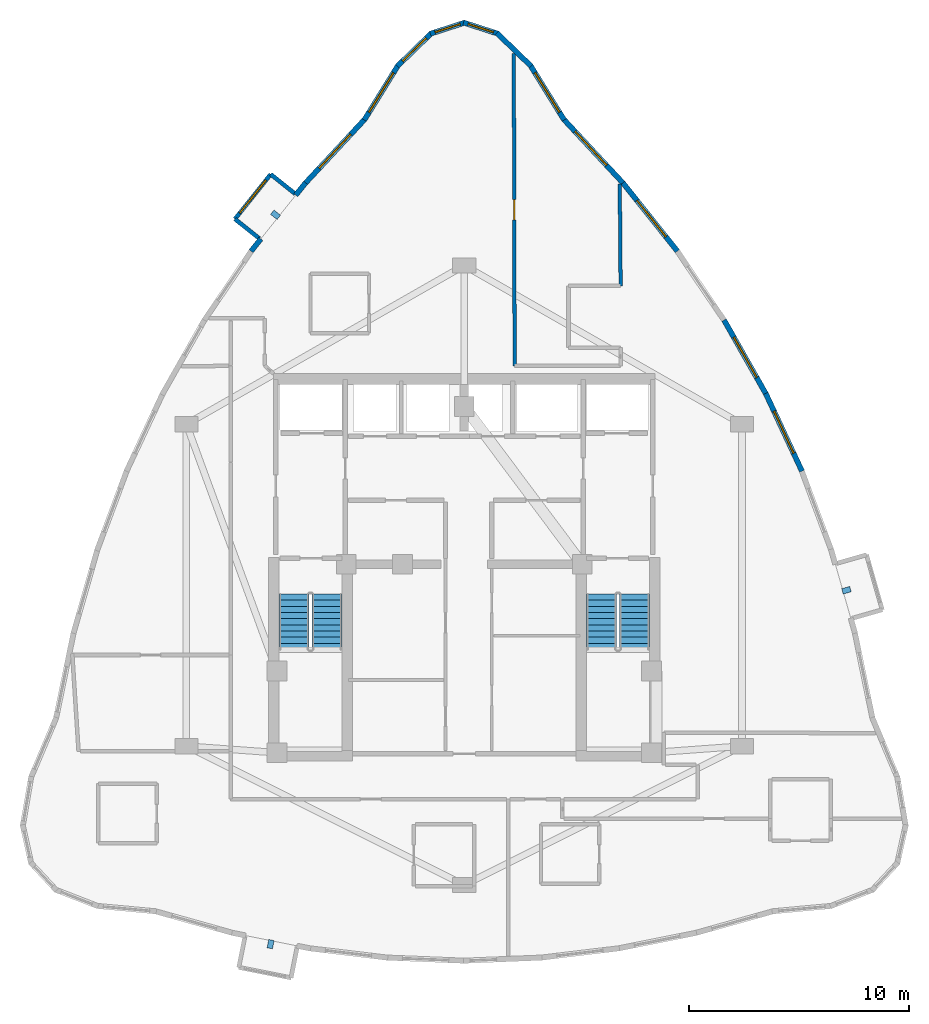
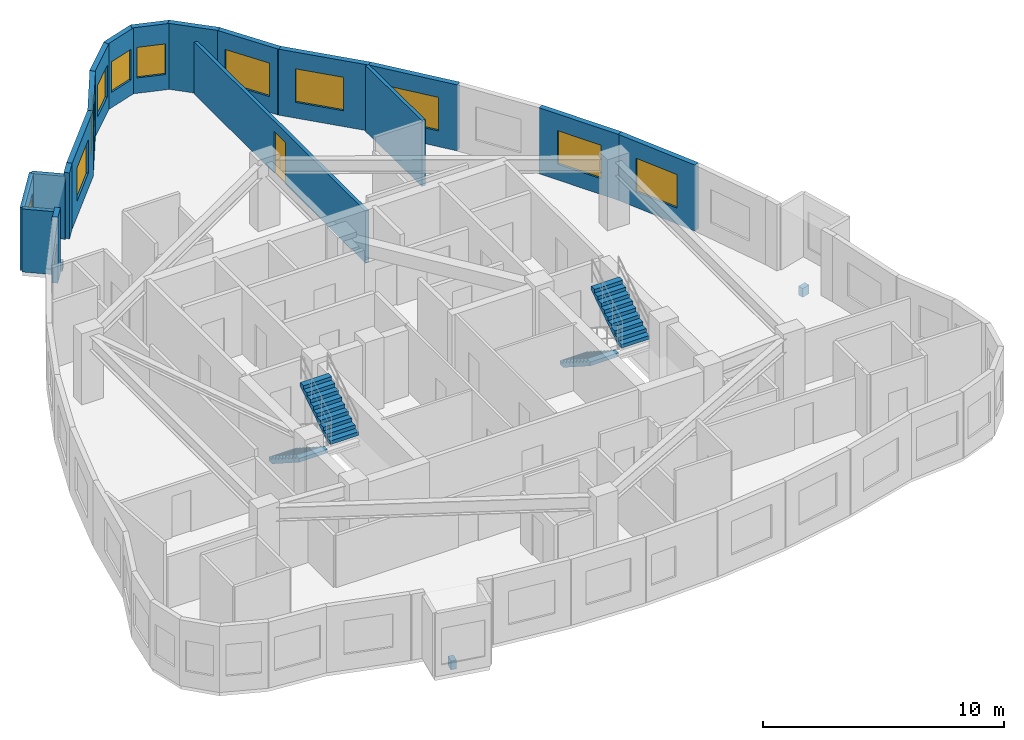
# One storey, part 11 of 12: 18 walls, 11 windows, 4 stair flights, 3 discrete accessories, 1 door, 12 openings, 2 elements without a shape of their own.
"""IFC4 building model written with IfcOpenShell, lengths in metres."""

from ifc_helpers import new_model, si_unit, direction, frame, frame_2d, origin, origin_2d, place, context, subcontext, project, spatial, polyline, rectangle, outline, extrude, material, layer, layer_set, type_object, element, fill, aggregate, save


model = new_model("IFC4")

# Units and contexts
model_context = context("Model", 3, precision=1e-05, world=origin(), true_north=direction((0.0, 1.0)))
body_context = subcontext(model_context, "Body", "Model", "MODEL_VIEW")
ifc_project = project(units=[si_unit("LENGTHUNIT", "METRE"), si_unit("AREAUNIT", "SQUARE_METRE"), si_unit("VOLUMEUNIT", "CUBIC_METRE"), si_unit("PLANEANGLEUNIT", "RADIAN"), si_unit("MASSUNIT", "GRAM", prefix="KILO")], contexts=[model_context])

# Site, building, storey
site_placement = place(None, origin())
site = spatial("IfcSite", under=ifc_project, at=site_placement, CompositionType="ELEMENT")
building_placement = place(site_placement, origin())
building = spatial("IfcBuilding", under=site, at=building_placement, Name="Miruveldt Soraemaru", CompositionType="ELEMENT")
storey_placement = place(building_placement, frame((0.0, 0.0, 219.60009765625)))
storey = spatial("IfcBuildingStorey", under=building, at=storey_placement, Name="L60", CompositionType="ELEMENT", Elevation=219.60009765625)

# Walls
ifc_material_1 = material(Name="White powder-coated aluminium EN AW-6060 T6", Category="aluminium")
ifc_layer_1 = layer(ifc_material_1, 0.18994140625, Name="White powder-coated aluminium EN AW-6060 T6", Category="aluminium")
ifc_layer_set_1 = layer_set([ifc_layer_1], Name="White powder-coated aluminium EN AW-6060 T6")
wall_type_1 = type_object("IfcWallType", Name="WALL-BAY-ALU190", PredefinedType="SOLIDWALL", material=ifc_layer_set_1)
for number, where, z_axis, x_axis, name in (
    (1, (36.3349609375, 60.8515625, 0.0), (0.0, 0.0, 1.0), (-0.781737193764, 0.623608017817, 0.0), "L60 Bay Window Side Cheek 3L"),
    (2, (33.599365234375, 59.707763671875, 0.0), (0.0, 0.0, 1.0), (0.781737193764, -0.623608017817, 0.0), "L60 Bay Window Side Cheek 3R"),
):
    element("IfcWall", number, at=place(storey_placement, frame(where, z_axis=z_axis, x_axis=x_axis)), inside=storey, type_object=wall_type_1, Name=name, PredefinedType="SOLIDWALL", context=body_context, shape_type="SweptSolid", body=[
        extrude(rectangle(XDim=1.425048828125, YDim=0.18994140625, at=frame_2d((0.71240234375, 0.0))), origin(), (0.0, 0.0, 1.0), 3.19482421875),
    ])

# Wall, opening, window
wall_1_placement = place(storey_placement, frame((35.220947265625, 61.740234375, 0.0), z_axis=(0.0, 0.0, 1.0), x_axis=(-0.623663926583, -0.781692590907, 0.0)))
wall_1 = element("IfcWall", 3, at=wall_1_placement, inside=storey, type_object=wall_type_1, Name="L60 Bay Window Front Frame 3", PredefinedType="SOLIDWALL", context=body_context, shape_type="SweptSolid", body=[
    extrude(rectangle(XDim=2.60009765625, YDim=0.18994140625, at=frame_2d((1.300048828125, 0.0))), origin(), (0.0, 0.0, 1.0), 3.19482421875),
])
opening_1_placement = place(wall_1_placement, frame((0.35009765625, 0.0, 0.550048828125)))
opening_1 = element("IfcOpeningElement", 4, at=opening_1_placement, cuts=wall_1, Name="Opening WN-6", PredefinedType="OPENING", context=body_context, shape_type="SweptSolid", body=[
    extrude(rectangle(XDim=1.89990234375, YDim=1.85009765625, at=frame_2d((0.949951171875, 0.925048828125))), frame((0.0, 0.10498046875, 0.0), z_axis=(0.0, -1.0, 0.0), x_axis=(1.0, 0.0, 0.0)), (0.0, 0.0, 1.0), 0.2099609375),
])
ifc_material_2 = material(Name="Triple low-e insulated glazing", Category="glass")
window_type_1 = type_object("IfcWindowType", Name="WIN-BAYW-1900x1850", PartitioningType="SINGLE_PANEL", PredefinedType="WINDOW", material=ifc_material_2)
window_1_placement = place(opening_1_placement, origin())
window_1 = element("IfcWindow", 5, at=window_1_placement, inside=storey, type_object=window_type_1, Name="L60 Projecting Bay Window 3", OverallHeight=1.85009765625, OverallWidth=1.89990234375, PartitioningType="SINGLE_PANEL", PredefinedType="WINDOW", context=body_context, shape_type="SweptSolid", body=[
    extrude(rectangle(XDim=1.89990234375, YDim=1.85009765625, at=frame_2d((0.949951171875, 0.925048828125))), frame((0.0, 0.030029296875, 0.0), z_axis=(0.0, -1.0, 0.0), x_axis=(1.0, 0.0, 0.0)), (0.0, 0.0, 1.0), 0.06005859375),
])
fill(opening_1, window_1)

ifc_material_3 = material(Name="Precast concrete C45/55 (45 MPa)", Category="concrete")
ifc_layer_2 = layer(ifc_material_3, 0.239990234375, Name="Precast concrete C45/55 (45 MPa)", Category="concrete")
ifc_layer_set_2 = layer_set([ifc_layer_2], Name="Precast concrete C45/55 (45 MPa)")
wall_type_2 = type_object("IfcWallType", Name="WALL-EXT-PC240", PredefinedType="SOLIDWALL", material=ifc_layer_set_2)
wall_2_placement = place(storey_placement, frame((48.535888671875, 64.198974609375, 0.0), z_axis=(0.0, 0.0, 1.0), x_axis=(-0.526116690269, 0.850412387151, 0.0)))
wall_2 = element("IfcWall", 6, at=wall_2_placement, inside=storey, type_object=wall_type_2, Name="L60 Precast Concrete Facade Wall 1", PredefinedType="SOLIDWALL", context=body_context, shape_type="SweptSolid", body=[
    extrude(rectangle(XDim=2.932373046875, YDim=0.239990234375, at=frame_2d((1.46630859375, 0.0))), origin(), (0.0, 0.0, 1.0), 3.344970703125),
])
opening_2_placement = place(wall_2_placement, frame((0.416015625, 0.0, 0.800048828125)))
opening_2 = element("IfcOpeningElement", 7, at=opening_2_placement, cuts=wall_2, Name="Opening WN-1", PredefinedType="OPENING", context=body_context, shape_type="SweptSolid", body=[
    extrude(rectangle(XDim=2.10009765625, YDim=1.699951171875, at=frame_2d((1.050048828125, 0.85009765625))), frame((0.0, 0.1298828125, 0.0), z_axis=(0.0, -1.0, 0.0), x_axis=(1.0, 0.0, 0.0)), (0.0, 0.0, 1.0), 0.260009765625),
])
window_type_2 = type_object("IfcWindowType", Name="WIN-PUNCH-2100x1700", PartitioningType="SINGLE_PANEL", PredefinedType="WINDOW", material=ifc_material_2)
window_2_placement = place(opening_2_placement, origin())
window_2 = element("IfcWindow", 8, at=window_2_placement, inside=storey, type_object=window_type_2, Name="L60 Punched Triple-Glazed Window 01.1", OverallHeight=1.699951171875, OverallWidth=2.10009765625, PartitioningType="SINGLE_PANEL", PredefinedType="WINDOW", context=body_context, shape_type="SweptSolid", body=[
    extrude(rectangle(XDim=2.10009765625, YDim=1.699951171875, at=frame_2d((1.050048828125, 0.85009765625))), frame((0.0, 0.030029296875, 0.0), z_axis=(0.0, -1.0, 0.0), x_axis=(1.0, 0.0, 0.0)), (0.0, 0.0, 1.0), 0.06005859375),
])
fill(opening_2, window_2)

# Wall
wall_3_placement = place(storey_placement, frame((47.03662109375, 66.638427734375, 0.0), z_axis=(0.0, 0.0, 1.0), x_axis=(-0.717724698944, 0.696326975297, 0.0)))
element("IfcWall", 9, at=wall_3_placement, inside=storey, type_object=wall_type_2, Name="L60 Precast Concrete Facade Wall 2", PredefinedType="SOLIDWALL", context=body_context, shape_type="SweptSolid", body=[
    extrude(rectangle(XDim=2.167724609375, YDim=0.239990234375, at=frame_2d((1.083984375, 0.0))), origin(), (0.0, 0.0, 1.0), 3.344970703125),
])

# Wall, opening, window
wall_4_placement = place(storey_placement, frame((45.5390625, 68.11279296875, 0.0), z_axis=(0.0, 0.0, 1.0), x_axis=(-0.951510677504, 0.307615719032, 0.0)))
wall_4 = element("IfcWall", 10, at=wall_4_placement, inside=storey, type_object=wall_type_2, Name="L60 Precast Concrete Facade Wall 3", PredefinedType="SOLIDWALL", context=body_context, shape_type="SweptSolid", body=[
    extrude(rectangle(XDim=1.65234375, YDim=0.239990234375, at=frame_2d((0.826171875, 0.0))), origin(), (0.0, 0.0, 1.0), 3.344970703125),
])
opening_3_placement = place(wall_4_placement, frame((0.22705078125, 0.0, 0.780029296875)))
opening_3 = element("IfcOpeningElement", 11, at=opening_3_placement, cuts=wall_4, Name="Opening WN-4", PredefinedType="OPENING", context=body_context, shape_type="SweptSolid", body=[
    extrude(rectangle(XDim=1.199951171875, YDim=1.550048828125, at=frame_2d((0.60009765625, 0.77490234375))), frame((0.0, 0.1298828125, 0.0), z_axis=(0.0, -1.0, 0.0), x_axis=(1.0, 0.0, 0.0)), (0.0, 0.0, 1.0), 0.260009765625),
])
window_type_3 = type_object("IfcWindowType", Name="WIN-PUNCH-1200x1550", PartitioningType="SINGLE_PANEL", PredefinedType="WINDOW", material=ifc_material_2)
window_3_placement = place(opening_3_placement, origin())
window_3 = element("IfcWindow", 12, at=window_3_placement, inside=storey, type_object=window_type_3, Name="L60 Punched Triple-Glazed Window 03.1", OverallHeight=1.550048828125, OverallWidth=1.199951171875, PartitioningType="SINGLE_PANEL", PredefinedType="WINDOW", context=body_context, shape_type="SweptSolid", body=[
    extrude(rectangle(XDim=1.199951171875, YDim=1.550048828125, at=frame_2d((0.60009765625, 0.77490234375))), frame((0.0, 0.030029296875, 0.0), z_axis=(0.0, -1.0, 0.0), x_axis=(1.0, 0.0, 0.0)), (0.0, 0.0, 1.0), 0.06005859375),
])
fill(opening_3, window_3)

wall_5_placement = place(storey_placement, frame((44.033203125, 68.62109375, 0.0), z_axis=(0.0, 0.0, 1.0), x_axis=(-0.951510677504, -0.307615719032, 0.0)))
wall_5 = element("IfcWall", 13, at=wall_5_placement, inside=storey, type_object=wall_type_2, Name="L60 Precast Concrete Facade Wall 4", PredefinedType="SOLIDWALL", context=body_context, shape_type="SweptSolid", body=[
    extrude(rectangle(XDim=1.65234375, YDim=0.239990234375, at=frame_2d((0.826171875, 0.0))), origin(), (0.0, 0.0, 1.0), 3.344970703125),
])
opening_4_placement = place(wall_5_placement, frame((0.22705078125, 0.0, 0.780029296875)))
opening_4 = element("IfcOpeningElement", 14, at=opening_4_placement, cuts=wall_5, Name="Opening WN-4", PredefinedType="OPENING", context=body_context, shape_type="SweptSolid", body=[
    extrude(rectangle(XDim=1.199951171875, YDim=1.550048828125, at=frame_2d((0.60009765625, 0.77490234375))), frame((0.0, 0.1298828125, 0.0), z_axis=(0.0, -1.0, 0.0), x_axis=(1.0, 0.0, 0.0)), (0.0, 0.0, 1.0), 0.260009765625),
])
window_4_placement = place(opening_4_placement, origin())
window_4 = element("IfcWindow", 15, at=window_4_placement, inside=storey, type_object=window_type_3, Name="L60 Punched Triple-Glazed Window 04.1", OverallHeight=1.550048828125, OverallWidth=1.199951171875, PartitioningType="SINGLE_PANEL", PredefinedType="WINDOW", context=body_context, shape_type="SweptSolid", body=[
    extrude(rectangle(XDim=1.199951171875, YDim=1.550048828125, at=frame_2d((0.60009765625, 0.77490234375))), frame((0.0, 0.030029296875, 0.0), z_axis=(0.0, -1.0, 0.0), x_axis=(1.0, 0.0, 0.0)), (0.0, 0.0, 1.0), 0.06005859375),
])
fill(opening_4, window_4)

wall_6_placement = place(storey_placement, frame((42.519287109375, 68.14794921875, 0.0), z_axis=(0.0, 0.0, 1.0), x_axis=(-0.717724698944, -0.696326975297, 0.0)))
wall_6 = element("IfcWall", 16, at=wall_6_placement, inside=storey, type_object=wall_type_2, Name="L60 Precast Concrete Facade Wall 5", PredefinedType="SOLIDWALL", context=body_context, shape_type="SweptSolid", body=[
    extrude(rectangle(XDim=2.167724609375, YDim=0.239990234375, at=frame_2d((1.083984375, 0.0))), origin(), (0.0, 0.0, 1.0), 3.344970703125),
])
opening_5_placement = place(wall_6_placement, frame((0.333984375, 0.0, 0.800048828125)))
opening_5 = element("IfcOpeningElement", 17, at=opening_5_placement, cuts=wall_6, Name="Opening WN-3", PredefinedType="OPENING", context=body_context, shape_type="SweptSolid", body=[
    extrude(rectangle(XDim=1.5, YDim=1.60009765625, at=frame_2d((0.75, 0.800048828125))), frame((0.0, 0.1298828125, 0.0), z_axis=(0.0, -1.0, 0.0), x_axis=(1.0, 0.0, 0.0)), (0.0, 0.0, 1.0), 0.260009765625),
])
window_type_4 = type_object("IfcWindowType", Name="WIN-PUNCH-1500x1600", PartitioningType="SINGLE_PANEL", PredefinedType="WINDOW", material=ifc_material_2)
window_5_placement = place(opening_5_placement, origin())
window_5 = element("IfcWindow", 18, at=window_5_placement, inside=storey, type_object=window_type_4, Name="L60 Punched Triple-Glazed Window 05.1", OverallHeight=1.60009765625, OverallWidth=1.5, PartitioningType="SINGLE_PANEL", PredefinedType="WINDOW", context=body_context, shape_type="SweptSolid", body=[
    extrude(rectangle(XDim=1.5, YDim=1.60009765625, at=frame_2d((0.75, 0.800048828125))), frame((0.0, 0.030029296875, 0.0), z_axis=(0.0, -1.0, 0.0), x_axis=(1.0, 0.0, 0.0)), (0.0, 0.0, 1.0), 0.06005859375),
])
fill(opening_5, window_5)

wall_7_placement = place(storey_placement, frame((41.0068359375, 66.692626953125, 0.0), z_axis=(0.0, 0.0, 1.0), x_axis=(-0.526116690269, -0.850412387151, 0.0)))
wall_7 = element("IfcWall", 19, at=wall_7_placement, inside=storey, type_object=wall_type_2, Name="L60 Precast Concrete Facade Wall 6", PredefinedType="SOLIDWALL", context=body_context, shape_type="SweptSolid", body=[
    extrude(rectangle(XDim=2.932373046875, YDim=0.239990234375, at=frame_2d((1.46630859375, 0.0))), origin(), (0.0, 0.0, 1.0), 3.344970703125),
])
opening_6_placement = place(wall_7_placement, frame((0.416015625, 0.0, 0.800048828125)))
opening_6 = element("IfcOpeningElement", 20, at=opening_6_placement, cuts=wall_7, Name="Opening WN-1", PredefinedType="OPENING", context=body_context, shape_type="SweptSolid", body=[
    extrude(rectangle(XDim=2.10009765625, YDim=1.699951171875, at=frame_2d((1.050048828125, 0.85009765625))), frame((0.0, 0.1298828125, 0.0), z_axis=(0.0, -1.0, 0.0), x_axis=(1.0, 0.0, 0.0)), (0.0, 0.0, 1.0), 0.260009765625),
])
window_6_placement = place(opening_6_placement, origin())
window_6 = element("IfcWindow", 21, at=window_6_placement, inside=storey, type_object=window_type_2, Name="L60 Punched Triple-Glazed Window 06.1", OverallHeight=1.699951171875, OverallWidth=2.10009765625, PartitioningType="SINGLE_PANEL", PredefinedType="WINDOW", context=body_context, shape_type="SweptSolid", body=[
    extrude(rectangle(XDim=2.10009765625, YDim=1.699951171875, at=frame_2d((1.050048828125, 0.85009765625))), frame((0.0, 0.030029296875, 0.0), z_axis=(0.0, -1.0, 0.0), x_axis=(1.0, 0.0, 0.0)), (0.0, 0.0, 1.0), 0.06005859375),
])
fill(opening_6, window_6)

wall_8_placement = place(storey_placement, frame((39.50634765625, 64.25439453125, 0.0), z_axis=(0.0, 0.0, 1.0), x_axis=(-0.680870897297, -0.732403455217, 0.0)))
wall_8 = element("IfcWall", 22, at=wall_8_placement, inside=storey, type_object=wall_type_2, Name="L60 Precast Concrete Facade Wall 7", PredefinedType="SOLIDWALL", context=body_context, shape_type="SweptSolid", body=[
    extrude(rectangle(XDim=4.036376953125, YDim=0.239990234375, at=frame_2d((2.01806640625, 0.0))), origin(), (0.0, 0.0, 1.0), 3.344970703125),
])
opening_7_placement = place(wall_8_placement, frame((0.968017578125, 0.0, 0.800048828125)))
opening_7 = element("IfcOpeningElement", 23, at=opening_7_placement, cuts=wall_8, Name="Opening WN-1", PredefinedType="OPENING", context=body_context, shape_type="SweptSolid", body=[
    extrude(rectangle(XDim=2.10009765625, YDim=1.699951171875, at=frame_2d((1.050048828125, 0.85009765625))), frame((0.0, 0.1298828125, 0.0), z_axis=(0.0, -1.0, 0.0), x_axis=(1.0, 0.0, 0.0)), (0.0, 0.0, 1.0), 0.260009765625),
])
window_7_placement = place(opening_7_placement, origin())
window_7 = element("IfcWindow", 24, at=window_7_placement, inside=storey, type_object=window_type_2, Name="L60 Punched Triple-Glazed Window 07.1", OverallHeight=1.699951171875, OverallWidth=2.10009765625, PartitioningType="SINGLE_PANEL", PredefinedType="WINDOW", context=body_context, shape_type="SweptSolid", body=[
    extrude(rectangle(XDim=2.10009765625, YDim=1.699951171875, at=frame_2d((1.050048828125, 0.85009765625))), frame((0.0, 0.030029296875, 0.0), z_axis=(0.0, -1.0, 0.0), x_axis=(1.0, 0.0, 0.0)), (0.0, 0.0, 1.0), 0.06005859375),
])
fill(opening_7, window_7)

# Walls
for number, where, z_axis, x_axis, name in (
    (25, (36.8037109375, 61.35107421875, 0.0), (0.0, 0.0, 1.0), (-0.623566879575, -0.781770008824, 0.0), "L60 Precast Pier Wall 8A"),
    (26, (34.775146484375, 58.808349609375, 0.0), (0.0, 0.0, 1.0), (-0.623357530904, -0.781936946733, 0.0), "L60 Precast Pier Wall 8B"),
):
    element("IfcWall", number, at=place(storey_placement, frame(where, z_axis=z_axis, x_axis=x_axis)), inside=storey, type_object=wall_type_2, Name=name, PredefinedType="SOLIDWALL", context=body_context, shape_type="SweptSolid", body=[
        extrude(rectangle(XDim=0.712890625, YDim=0.239990234375, at=frame_2d((0.3564453125, 0.0))), origin(), (0.0, 0.0, 1.0), 3.344970703125),
    ])

# Wall, opening, window
wall_9_placement = place(storey_placement, frame((59.3203125, 48.271240234375, 0.0), z_axis=(0.0, 0.0, 1.0), x_axis=(-0.422332612053, 0.906440932878, 0.0)))
wall_9 = element("IfcWall", 27, at=wall_9_placement, inside=storey, type_object=wall_type_2, Name="L60 Precast Concrete Facade Wall 38", PredefinedType="SOLIDWALL", context=body_context, shape_type="SweptSolid", body=[
    extrude(rectangle(XDim=3.892822265625, YDim=0.239990234375, at=frame_2d((1.9462890625, 0.0))), origin(), (0.0, 0.0, 1.0), 3.344970703125),
])
opening_8_placement = place(wall_9_placement, frame((0.89697265625, 0.0, 0.800048828125)))
opening_8 = element("IfcOpeningElement", 28, at=opening_8_placement, cuts=wall_9, Name="Opening WN-1", PredefinedType="OPENING", context=body_context, shape_type="SweptSolid", body=[
    extrude(rectangle(XDim=2.10009765625, YDim=1.699951171875, at=frame_2d((1.050048828125, 0.85009765625))), frame((0.0, 0.1298828125, 0.0), z_axis=(0.0, -1.0, 0.0), x_axis=(1.0, 0.0, 0.0)), (0.0, 0.0, 1.0), 0.260009765625),
])
window_8_placement = place(opening_8_placement, origin())
window_8 = element("IfcWindow", 29, at=window_8_placement, inside=storey, type_object=window_type_2, Name="L60 Punched Triple-Glazed Window 38.1", OverallHeight=1.699951171875, OverallWidth=2.10009765625, PartitioningType="SINGLE_PANEL", PredefinedType="WINDOW", context=body_context, shape_type="SweptSolid", body=[
    extrude(rectangle(XDim=2.10009765625, YDim=1.699951171875, at=frame_2d((1.050048828125, 0.85009765625))), frame((0.0, 0.030029296875, 0.0), z_axis=(0.0, -1.0, 0.0), x_axis=(1.0, 0.0, 0.0)), (0.0, 0.0, 1.0), 0.06005859375),
])
fill(opening_8, window_8)

wall_10_placement = place(storey_placement, frame((57.708251953125, 51.73779296875, 0.0), z_axis=(0.0, 0.0, 1.0), x_axis=(-0.493340105608, 0.869836501993, 0.0)))
wall_10 = element("IfcWall", 30, at=wall_10_placement, inside=storey, type_object=wall_type_2, Name="L60 Precast Concrete Facade Wall 39", PredefinedType="SOLIDWALL", context=body_context, shape_type="SweptSolid", body=[
    extrude(rectangle(XDim=3.892578125, YDim=0.239990234375, at=frame_2d((1.9462890625, 0.0))), origin(), (0.0, 0.0, 1.0), 3.344970703125),
])
opening_9_placement = place(wall_10_placement, frame((0.89697265625, 0.0, 0.800048828125)))
opening_9 = element("IfcOpeningElement", 31, at=opening_9_placement, cuts=wall_10, Name="Opening WN-1", PredefinedType="OPENING", context=body_context, shape_type="SweptSolid", body=[
    extrude(rectangle(XDim=2.10009765625, YDim=1.699951171875, at=frame_2d((1.050048828125, 0.85009765625))), frame((0.0, 0.1298828125, 0.0), z_axis=(0.0, -1.0, 0.0), x_axis=(1.0, 0.0, 0.0)), (0.0, 0.0, 1.0), 0.260009765625),
])
window_9_placement = place(opening_9_placement, origin())
window_9 = element("IfcWindow", 32, at=window_9_placement, inside=storey, type_object=window_type_2, Name="L60 Punched Triple-Glazed Window 39.1", OverallHeight=1.699951171875, OverallWidth=2.10009765625, PartitioningType="SINGLE_PANEL", PredefinedType="WINDOW", context=body_context, shape_type="SweptSolid", body=[
    extrude(rectangle(XDim=2.10009765625, YDim=1.699951171875, at=frame_2d((1.050048828125, 0.85009765625))), frame((0.0, 0.030029296875, 0.0), z_axis=(0.0, -1.0, 0.0), x_axis=(1.0, 0.0, 0.0)), (0.0, 0.0, 1.0), 0.06005859375),
])
fill(opening_9, window_9)

wall_11_placement = place(storey_placement, frame((53.669189453125, 58.2509765625, 0.0), z_axis=(0.0, 0.0, 1.0), x_axis=(-0.623590760343, 0.781750960098, 0.0)))
wall_11 = element("IfcWall", 33, at=wall_11_placement, inside=storey, type_object=wall_type_2, Name="L60 Precast Concrete Facade Wall 41", PredefinedType="SOLIDWALL", context=body_context, shape_type="SweptSolid", body=[
    extrude(rectangle(XDim=3.965576171875, YDim=0.239990234375, at=frame_2d((1.98291015625, 0.0))), origin(), (0.0, 0.0, 1.0), 3.344970703125),
])
opening_10_placement = place(wall_11_placement, frame((0.837890625, 0.0, 0.800048828125)))
opening_10 = element("IfcOpeningElement", 34, at=opening_10_placement, cuts=wall_11, Name="Opening WN-1", PredefinedType="OPENING", context=body_context, shape_type="SweptSolid", body=[
    extrude(rectangle(XDim=2.10009765625, YDim=1.699951171875, at=frame_2d((1.050048828125, 0.85009765625))), frame((0.0, 0.1298828125, 0.0), z_axis=(0.0, -1.0, 0.0), x_axis=(1.0, 0.0, 0.0)), (0.0, 0.0, 1.0), 0.260009765625),
])
window_10_placement = place(opening_10_placement, origin())
window_10 = element("IfcWindow", 35, at=window_10_placement, inside=storey, type_object=window_type_2, Name="L60 Punched Triple-Glazed Window 41.1", OverallHeight=1.699951171875, OverallWidth=2.10009765625, PartitioningType="SINGLE_PANEL", PredefinedType="WINDOW", context=body_context, shape_type="SweptSolid", body=[
    extrude(rectangle(XDim=2.10009765625, YDim=1.699951171875, at=frame_2d((1.050048828125, 0.85009765625))), frame((0.0, 0.030029296875, 0.0), z_axis=(0.0, -1.0, 0.0), x_axis=(1.0, 0.0, 0.0)), (0.0, 0.0, 1.0), 0.06005859375),
])
fill(opening_10, window_10)

wall_12_placement = place(storey_placement, frame((51.241943359375, 61.298095703125, 0.0), z_axis=(0.0, 0.0, 1.0), x_axis=(-0.680870897297, 0.732403455217, 0.0)))
wall_12 = element("IfcWall", 36, at=wall_12_placement, inside=storey, type_object=wall_type_2, Name="L60 Precast Concrete Facade Wall 42", PredefinedType="SOLIDWALL", context=body_context, shape_type="SweptSolid", body=[
    extrude(rectangle(XDim=4.036376953125, YDim=0.239990234375, at=frame_2d((2.01806640625, 0.0))), origin(), (0.0, 0.0, 1.0), 3.344970703125),
])
opening_11_placement = place(wall_12_placement, frame((1.154052734375, 0.0, 0.800048828125)))
opening_11 = element("IfcOpeningElement", 37, at=opening_11_placement, cuts=wall_12, Name="Opening WN-1", PredefinedType="OPENING", context=body_context, shape_type="SweptSolid", body=[
    extrude(rectangle(XDim=2.10009765625, YDim=1.699951171875, at=frame_2d((1.050048828125, 0.85009765625))), frame((0.0, 0.1298828125, 0.0), z_axis=(0.0, -1.0, 0.0), x_axis=(1.0, 0.0, 0.0)), (0.0, 0.0, 1.0), 0.260009765625),
])
window_11_placement = place(opening_11_placement, origin())
window_11 = element("IfcWindow", 38, at=window_11_placement, inside=storey, type_object=window_type_2, Name="L60 Punched Triple-Glazed Window 42.1", OverallHeight=1.699951171875, OverallWidth=2.10009765625, PartitioningType="SINGLE_PANEL", PredefinedType="WINDOW", context=body_context, shape_type="SweptSolid", body=[
    extrude(rectangle(XDim=2.10009765625, YDim=1.699951171875, at=frame_2d((1.050048828125, 0.85009765625))), frame((0.0, 0.030029296875, 0.0), z_axis=(0.0, -1.0, 0.0), x_axis=(1.0, 0.0, 0.0)), (0.0, 0.0, 1.0), 0.06005859375),
])
fill(opening_11, window_11)

# Wall, opening, door
ifc_material_4 = material(Name="Concrete C40/50 (40 MPa)", Category="concrete")
ifc_layer_3 = layer(ifc_material_4, 0.159912109375, Name="Concrete C40/50 (40 MPa)", Category="concrete")
ifc_layer_set_3 = layer_set([ifc_layer_3], Name="Concrete C40/50 (40 MPa)")
wall_type_3 = type_object("IfcWallType", Name="WALL-INT-RC160", PredefinedType="SOLIDWALL", material=ifc_layer_set_3)
wall_13_placement = place(storey_placement, frame((46.287109375, 53.050048828125, 0.0), z_axis=(0.0, 0.0, 1.0), x_axis=(-0.002688718306, 0.99999638539, 0.0)))
wall_13 = element("IfcWall", 39, at=wall_13_placement, inside=storey, type_object=wall_type_3, Name="L60 Partition Wall 17", PredefinedType="SOLIDWALL", context=body_context, shape_type="SweptSolid", body=[
    extrude(rectangle(XDim=14.1650390625, YDim=0.159912109375, at=frame_2d((7.08251953125, 0.0))), origin(), (0.0, 0.0, 1.0), 2.6328125),
])
opening_12_placement = place(wall_13_placement, frame((6.623046875, 0.0, 0.0)))
opening_12 = element("IfcOpeningElement", 40, at=opening_12_placement, cuts=wall_13, Name="Opening D3A", PredefinedType="OPENING", context=body_context, shape_type="SweptSolid", body=[
    extrude(rectangle(XDim=0.919921875, YDim=2.10009765625, at=frame_2d((0.4599609375, 1.050048828125))), frame((0.0, 0.08984375, 0.0), z_axis=(0.0, -1.0, 0.0), x_axis=(1.0, 0.0, 0.0)), (0.0, 0.0, 1.0), 0.179931640625),
])
ifc_material_5 = material(Name="Anodised aluminium EN AW-6063 T6", Category="aluminium")
door_type = type_object("IfcDoorType", Name="DOOR-INT-920", OperationType="NOTDEFINED", PredefinedType="DOOR", material=ifc_material_5)
door_placement = place(opening_12_placement, origin())
door = element("IfcDoor", 41, at=door_placement, inside=storey, type_object=door_type, Name="L60 Unit 6001 BD1 Door", OperationType="SINGLE_SWING_RIGHT", OverallHeight=2.10009765625, OverallWidth=0.919921875, PredefinedType="DOOR", context=body_context, shape_type="SweptSolid", body=[
    extrude(rectangle(XDim=0.919921875, YDim=2.10009765625, at=frame_2d((0.4599609375, 1.050048828125))), frame((0.0, 0.02490234375, 0.0), z_axis=(0.0, -1.0, 0.0), x_axis=(1.0, 0.0, 0.0)), (0.0, 0.0, 1.0), 0.050048828125),
])
fill(opening_12, door)

# Wall
wall_14_placement = place(storey_placement, frame((51.053955078125, 61.302001953125, 0.0), z_axis=(0.0, 0.0, 1.0), x_axis=(0.008662256869, -0.999962481949, 0.0)))
element("IfcWall", 42, at=wall_14_placement, inside=storey, type_object=wall_type_3, Name="L60 Partition Wall 44", PredefinedType="SOLIDWALL", context=body_context, shape_type="SweptSolid", body=[
    extrude(rectangle(XDim=4.622314453125, YDim=0.159912109375, at=frame_2d((2.31103515625, 0.0))), origin(), (0.0, 0.0, 1.0), 3.344970703125),
])

# Stair, stair flights
stair_type = type_object("IfcStairType", Name="STAIR-DL-360", PredefinedType="HALF_TURN_STAIR", material=ifc_material_4)
stair_1_placement = place(storey_placement, origin())
stair_1 = element("IfcStair", 43, at=stair_1_placement, inside=storey, type_object=stair_type, Name="L60 Protected Exit Stair ST-1", PredefinedType="HALF_TURN_STAIR")
stair_flight_type = type_object("IfcStairFlightType", Name="SFL-DL-360", PredefinedType="STRAIGHT", material=ifc_material_4)
stair_flight_1_placement = place(storey_placement, frame((36.27490234375, 42.699951171875, 0.0), z_axis=(0.0, 0.0, 1.0), x_axis=(0.0, -1.0, 0.0)))
stair_flight_1 = element("IfcStairFlight", 44, at=stair_flight_1_placement, type_object=stair_flight_type, Name="ST-1 flight 1", NumberOfRisers=10, NumberOfTreads=9, PredefinedType="STRAIGHT", RiserHeight=0.18, TreadLength=0.28, context=body_context, shape_type="SweptSolid", body=[
    extrude(outline(polyline([(0.0, 0.0), (0.0, 0.179931640625), (0.280029296875, 0.179931640625), (0.280029296875, 0.360107421875), (0.56005859375, 0.360107421875), (0.56005859375, 0.5400390625), (0.840087890625, 0.5400390625), (0.840087890625, 0.719970703125), (1.1201171875, 0.719970703125), (1.1201171875, 0.89990234375), (1.39990234375, 0.89990234375), (1.39990234375, 1.080078125), (1.679931640625, 1.080078125), (1.679931640625, 1.260009765625), (1.9599609375, 1.260009765625), (1.9599609375, 1.43994140625), (2.239990234375, 1.43994140625), (2.239990234375, 1.6201171875), (2.52001953125, 1.6201171875), (2.52001953125, 1.800048828125), (2.52001953125, 1.429931640625), (0.295654296875, 0.0), (0.0, 0.0)])), frame((0.0, 0.675048828125, 0.0), z_axis=(0.0, -1.0, 0.0), x_axis=(1.0, 0.0, 0.0)), (0.0, 0.0, 1.0), 1.35009765625),
])
stair_flight_2_placement = place(storey_placement, frame((37.77490234375, 40.179931640625, 1.7998046875), z_axis=(0.0, 0.0, 1.0), x_axis=(0.0, 1.0, 0.0)))
stair_flight_2 = element("IfcStairFlight", 45, at=stair_flight_2_placement, type_object=stair_flight_type, Name="ST-1 flight 2", NumberOfRisers=10, NumberOfTreads=9, PredefinedType="STRAIGHT", RiserHeight=0.18, TreadLength=0.28, context=body_context, shape_type="SweptSolid", body=[
    extrude(outline(polyline([(0.0, 0.0), (0.0, 0.179931640625), (0.280029296875, 0.179931640625), (0.280029296875, 0.360107421875), (0.56005859375, 0.360107421875), (0.56005859375, 0.5400390625), (0.840087890625, 0.5400390625), (0.840087890625, 0.719970703125), (1.1201171875, 0.719970703125), (1.1201171875, 0.89990234375), (1.39990234375, 0.89990234375), (1.39990234375, 1.080078125), (1.679931640625, 1.080078125), (1.679931640625, 1.260009765625), (1.9599609375, 1.260009765625), (1.9599609375, 1.43994140625), (2.239990234375, 1.43994140625), (2.239990234375, 1.6201171875), (2.52001953125, 1.6201171875), (2.52001953125, 1.800048828125), (2.52001953125, 1.429931640625), (0.295654296875, 0.0), (0.0, 0.0)])), frame((0.0, 0.675048828125, 0.0), z_axis=(0.0, -1.0, 0.0), x_axis=(1.0, 0.0, 0.0)), (0.0, 0.0, 1.0), 1.35009765625),
])
aggregate(stair_1, [stair_flight_1, stair_flight_2])

stair_2_placement = place(storey_placement, origin())
stair_2 = element("IfcStair", 46, at=stair_2_placement, inside=storey, type_object=stair_type, Name="L60 Protected Exit Stair ST-2", PredefinedType="HALF_TURN_STAIR")
stair_flight_3_placement = place(storey_placement, frame((50.22509765625, 42.699951171875, 0.0), z_axis=(0.0, 0.0, 1.0), x_axis=(0.0, -1.0, 0.0)))
stair_flight_3 = element("IfcStairFlight", 47, at=stair_flight_3_placement, type_object=stair_flight_type, Name="ST-2 flight 1", NumberOfRisers=10, NumberOfTreads=9, PredefinedType="STRAIGHT", RiserHeight=0.18, TreadLength=0.28, context=body_context, shape_type="SweptSolid", body=[
    extrude(outline(polyline([(0.0, 0.0), (0.0, 0.179931640625), (0.280029296875, 0.179931640625), (0.280029296875, 0.360107421875), (0.56005859375, 0.360107421875), (0.56005859375, 0.5400390625), (0.840087890625, 0.5400390625), (0.840087890625, 0.719970703125), (1.1201171875, 0.719970703125), (1.1201171875, 0.89990234375), (1.39990234375, 0.89990234375), (1.39990234375, 1.080078125), (1.679931640625, 1.080078125), (1.679931640625, 1.260009765625), (1.9599609375, 1.260009765625), (1.9599609375, 1.43994140625), (2.239990234375, 1.43994140625), (2.239990234375, 1.6201171875), (2.52001953125, 1.6201171875), (2.52001953125, 1.800048828125), (2.52001953125, 1.429931640625), (0.295654296875, 0.0), (0.0, 0.0)])), frame((0.0, 0.675048828125, 0.0), z_axis=(0.0, -1.0, 0.0), x_axis=(1.0, 0.0, 0.0)), (0.0, 0.0, 1.0), 1.35009765625),
])
stair_flight_4_placement = place(storey_placement, frame((51.72509765625, 40.179931640625, 1.7998046875), z_axis=(0.0, 0.0, 1.0), x_axis=(0.0, 1.0, 0.0)))
stair_flight_4 = element("IfcStairFlight", 48, at=stair_flight_4_placement, type_object=stair_flight_type, Name="ST-2 flight 2", NumberOfRisers=10, NumberOfTreads=9, PredefinedType="STRAIGHT", RiserHeight=0.18, TreadLength=0.28, context=body_context, shape_type="SweptSolid", body=[
    extrude(outline(polyline([(0.0, 0.0), (0.0, 0.179931640625), (0.280029296875, 0.179931640625), (0.280029296875, 0.360107421875), (0.56005859375, 0.360107421875), (0.56005859375, 0.5400390625), (0.840087890625, 0.5400390625), (0.840087890625, 0.719970703125), (1.1201171875, 0.719970703125), (1.1201171875, 0.89990234375), (1.39990234375, 0.89990234375), (1.39990234375, 1.080078125), (1.679931640625, 1.080078125), (1.679931640625, 1.260009765625), (1.9599609375, 1.260009765625), (1.9599609375, 1.43994140625), (2.239990234375, 1.43994140625), (2.239990234375, 1.6201171875), (2.52001953125, 1.6201171875), (2.52001953125, 1.800048828125), (2.52001953125, 1.429931640625), (0.295654296875, 0.0), (0.0, 0.0)])), frame((0.0, 0.675048828125, 0.0), z_axis=(0.0, -1.0, 0.0), x_axis=(1.0, 0.0, 0.0)), (0.0, 0.0, 1.0), 1.35009765625),
])
aggregate(stair_2, [stair_flight_3, stair_flight_4])

# Discrete accessories
ifc_material_6 = material(Name="Steel SM355 (355 MPa)", Category="steel")
discrete_accessory_type = type_object("IfcDiscreteAccessoryType", Name="ACC-BAY-BRK", PredefinedType="BRACKET", material=ifc_material_6)
for number, where, z_axis, x_axis, name in (
    (49, (35.2177734375, 26.81689453125, -0.7001953125), (0.0, 0.0, 1.0), (-0.196117290802, -0.980580444557, 0.0), "L60 Bay Window Cantilever Bracket 1"),
    (50, (61.337646484375, 42.869140625, -0.7001953125), (0.0, 0.0, 1.0), (0.961453892845, 0.274966201438, 0.0), "L60 Bay Window Cantilever Bracket 2"),
    (51, (35.442138671875, 59.90087890625, -0.7001953125), (0.0, 0.0, 1.0), (-0.781727315753, 0.623620400408, 0.0), "L60 Bay Window Cantilever Bracket 3"),
):
    element("IfcDiscreteAccessory", number, at=place(storey_placement, frame(where, z_axis=z_axis, x_axis=x_axis)), inside=storey, type_object=discrete_accessory_type, Name=name, PredefinedType="BRACKET", context=body_context, shape_type="SweptSolid", body=[
        extrude(rectangle(XDim=0.3798828125, YDim=0.25, at=origin_2d()), origin(), (0.0, 0.0, 1.0), 0.449951171875),
    ])

save(model, "model.ifc")
